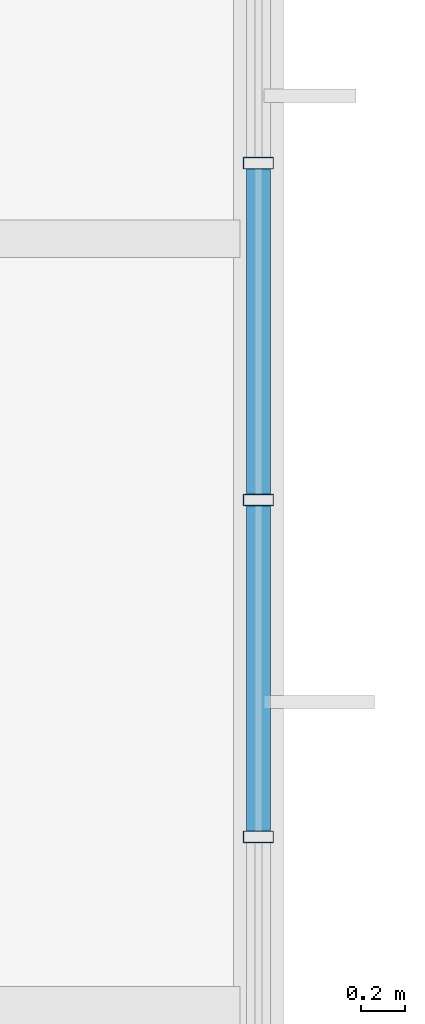
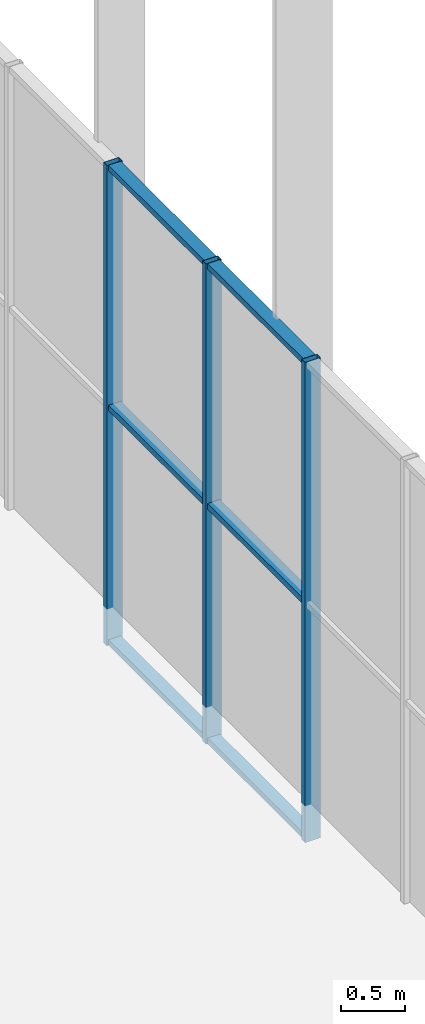
# One storey, part 210 of 324: 9 members, 1 element without a shape of its own.
"""IFC4 building model written with IfcOpenShell, lengths in metres."""

from ifc_helpers import new_model, si_unit, direction, frame, origin, origin_2d, place, context, subcontext, project, spatial, hollow_rectangle, extrude, material, layer, layer_set, material_profile, profile_set, type_object, element, aggregate, save


model = new_model("IFC4")

# Units and contexts
model_context = context("Model", 3, precision=1e-05, world=origin(), true_north=direction((0.0, 1.0)))
body_context = subcontext(model_context, "Body", "Model", "MODEL_VIEW")
ifc_project = project(units=[si_unit("LENGTHUNIT", "METRE"), si_unit("AREAUNIT", "SQUARE_METRE"), si_unit("VOLUMEUNIT", "CUBIC_METRE"), si_unit("PLANEANGLEUNIT", "RADIAN"), si_unit("MASSUNIT", "GRAM", prefix="KILO")], contexts=[model_context])

# Site, building, storey
site_placement = place(None, origin())
site = spatial("IfcSite", under=ifc_project, at=site_placement, CompositionType="ELEMENT")
building_placement = place(site_placement, origin())
building = spatial("IfcBuilding", under=site, at=building_placement, Name="Solvenia Promenade Tram Depot", CompositionType="ELEMENT")
storey_placement = place(building_placement, frame((0.0, 0.0, 4.5)))
storey = spatial("IfcBuildingStorey", under=building, at=storey_placement, Name="L01", CompositionType="ELEMENT", Elevation=4.5)

# Curtain wall, members
ifc_material = material(Name="Anodized aluminium AW-6063 T6", Category="aluminium")
ifc_layer = layer(ifc_material, 0.080078125, Name="Anodized aluminium AW-6063 T6", Category="aluminium")
ifc_layer_set = layer_set([ifc_layer], Name="Anodized aluminium AW-6063 T6")
curtain_wall_type = type_object("IfcCurtainWallType", Name="CW-Clerest-1500", PredefinedType="NOTDEFINED", material=ifc_layer_set)
curtain_wall_placement = place(storey_placement, origin())
curtain_wall = element("IfcCurtainWall", 1, at=curtain_wall_placement, inside=storey, type_object=curtain_wall_type, Name="Curtain Wall CW-V2E-L1-3", PredefinedType="NOTDEFINED")
ifc_material_profile_1 = material_profile(ifc_material, hollow_rectangle(XDim=0.139892578125, YDim=0.054931640625, WallThickness=0.00390625, at=origin_2d()), Name="ALU-M4", Category="aluminium")
ifc_profile_set_1 = profile_set([ifc_material_profile_1], Name="Anodized aluminium AW-6063 T6")
member_type_1 = type_object("IfcMemberType", Name="CWM-Mullion-4", PredefinedType="MULLION", material=ifc_profile_set_1)
member_1_placement = place(storey_placement, frame((186.0, 59.768798828125, -0.35009765625), z_axis=(0.0, 0.0, 1.0), x_axis=(-1.0, 0.0, 0.0)))
member_1 = element("IfcMember", 2, at=member_1_placement, type_object=member_type_1, Name="CW-4 mullion 6", PredefinedType="MULLION", context=body_context, shape_type="SweptSolid", body=[
    extrude(hollow_rectangle(XDim=0.139892578125, YDim=0.054931640625, WallThickness=0.00390625, at=origin_2d()), origin(), (0.0, 0.0, 1.0), 4.550048828125),
])
member_2_placement = place(storey_placement, frame((186.0, 61.306640625, -0.35009765625), z_axis=(0.0, 0.0, 1.0), x_axis=(-1.0, 0.0, 0.0)))
member_2 = element("IfcMember", 3, at=member_2_placement, type_object=member_type_1, Name="CW-4 mullion 7", PredefinedType="MULLION", context=body_context, shape_type="SweptSolid", body=[
    extrude(hollow_rectangle(XDim=0.139892578125, YDim=0.054931640625, WallThickness=0.00390625, at=origin_2d()), origin(), (0.0, 0.0, 1.0), 4.550048828125),
])
member_3_placement = place(storey_placement, frame((186.0, 62.844482421875, -0.35009765625), z_axis=(0.0, 0.0, 1.0), x_axis=(-1.0, 0.0, 0.0)))
member_3 = element("IfcMember", 4, at=member_3_placement, type_object=member_type_1, Name="CW-4 mullion 8", PredefinedType="MULLION", context=body_context, shape_type="SweptSolid", body=[
    extrude(hollow_rectangle(XDim=0.139892578125, YDim=0.054931640625, WallThickness=0.00390625, at=origin_2d()), origin(), (0.0, 0.0, 1.0), 4.550048828125),
])
ifc_material_profile_2 = material_profile(ifc_material, hollow_rectangle(XDim=0.110107421875, YDim=0.054931640625, WallThickness=0.00390625, at=origin_2d()), Name="ALU-T4", Category="aluminium")
ifc_profile_set_2 = profile_set([ifc_material_profile_2], Name="Anodized aluminium AW-6063 T6")
member_type_2 = type_object("IfcMemberType", Name="CWT-Transom-4", PredefinedType="USERDEFINED", material=ifc_profile_set_2)
member_4_placement = place(storey_placement, frame((186.0, 59.79638671875, -0.322509765625), z_axis=(0.0, 1.0, 0.0), x_axis=(-1.0, 0.0, 0.0)))
member_4 = element("IfcMember", 5, at=member_4_placement, type_object=member_type_2, Name="CW-4 transom 6.1", ObjectType="TRANSOM", PredefinedType="USERDEFINED", context=body_context, shape_type="SweptSolid", body=[
    extrude(hollow_rectangle(XDim=0.110107421875, YDim=0.054931640625, WallThickness=0.00390625, at=origin_2d()), origin(), (0.0, 0.0, 1.0), 1.482666015625),
])
member_5_placement = place(storey_placement, frame((186.0, 59.79638671875, 1.89990234375), z_axis=(0.0, 1.0, 0.0), x_axis=(-1.0, 0.0, 0.0)))
member_5 = element("IfcMember", 6, at=member_5_placement, type_object=member_type_2, Name="CW-4 transom 6.2", ObjectType="TRANSOM", PredefinedType="USERDEFINED", context=body_context, shape_type="SweptSolid", body=[
    extrude(hollow_rectangle(XDim=0.110107421875, YDim=0.054931640625, WallThickness=0.00390625, at=origin_2d()), origin(), (0.0, 0.0, 1.0), 1.482666015625),
])
member_6_placement = place(storey_placement, frame((186.0, 59.79638671875, 4.172607421875), z_axis=(0.0, 1.0, 0.0), x_axis=(-1.0, 0.0, 0.0)))
member_6 = element("IfcMember", 7, at=member_6_placement, type_object=member_type_2, Name="CW-4 transom 6.3", ObjectType="TRANSOM", PredefinedType="USERDEFINED", context=body_context, shape_type="SweptSolid", body=[
    extrude(hollow_rectangle(XDim=0.110107421875, YDim=0.054931640625, WallThickness=0.00390625, at=origin_2d()), origin(), (0.0, 0.0, 1.0), 1.482666015625),
])
member_7_placement = place(storey_placement, frame((186.0, 61.334228515625, -0.322509765625), z_axis=(0.0, 1.0, 0.0), x_axis=(-1.0, 0.0, 0.0)))
member_7 = element("IfcMember", 8, at=member_7_placement, type_object=member_type_2, Name="CW-4 transom 7.1", ObjectType="TRANSOM", PredefinedType="USERDEFINED", context=body_context, shape_type="SweptSolid", body=[
    extrude(hollow_rectangle(XDim=0.110107421875, YDim=0.054931640625, WallThickness=0.00390625, at=origin_2d()), origin(), (0.0, 0.0, 1.0), 1.482666015625),
])
member_8_placement = place(storey_placement, frame((186.0, 61.334228515625, 1.89990234375), z_axis=(0.0, 1.0, 0.0), x_axis=(-1.0, 0.0, 0.0)))
member_8 = element("IfcMember", 9, at=member_8_placement, type_object=member_type_2, Name="CW-4 transom 7.2", ObjectType="TRANSOM", PredefinedType="USERDEFINED", context=body_context, shape_type="SweptSolid", body=[
    extrude(hollow_rectangle(XDim=0.110107421875, YDim=0.054931640625, WallThickness=0.00390625, at=origin_2d()), origin(), (0.0, 0.0, 1.0), 1.482666015625),
])
member_9_placement = place(storey_placement, frame((186.0, 61.334228515625, 4.172607421875), z_axis=(0.0, 1.0, 0.0), x_axis=(-1.0, 0.0, 0.0)))
member_9 = element("IfcMember", 10, at=member_9_placement, type_object=member_type_2, Name="CW-4 transom 7.3", ObjectType="TRANSOM", PredefinedType="USERDEFINED", context=body_context, shape_type="SweptSolid", body=[
    extrude(hollow_rectangle(XDim=0.110107421875, YDim=0.054931640625, WallThickness=0.00390625, at=origin_2d()), origin(), (0.0, 0.0, 1.0), 1.482666015625),
])
aggregate(curtain_wall, [member_1, member_2, member_3, member_4, member_5, member_6, member_7, member_8, member_9])

save(model, "model.ifc")
